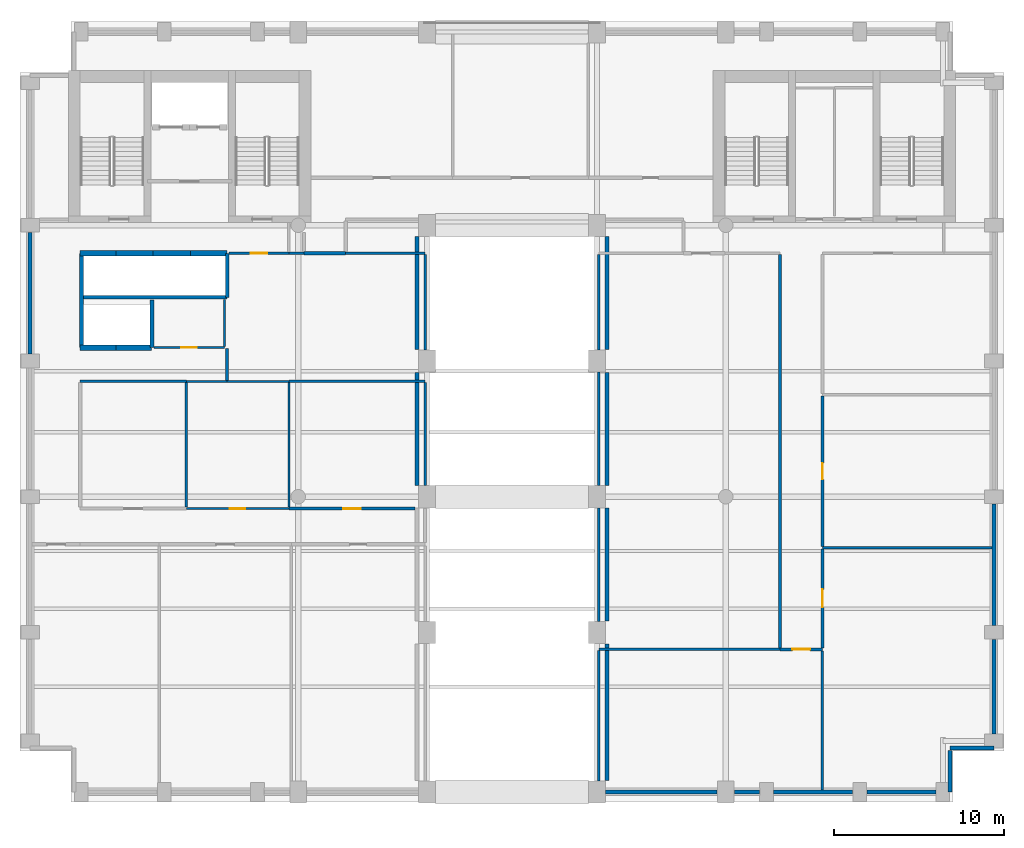
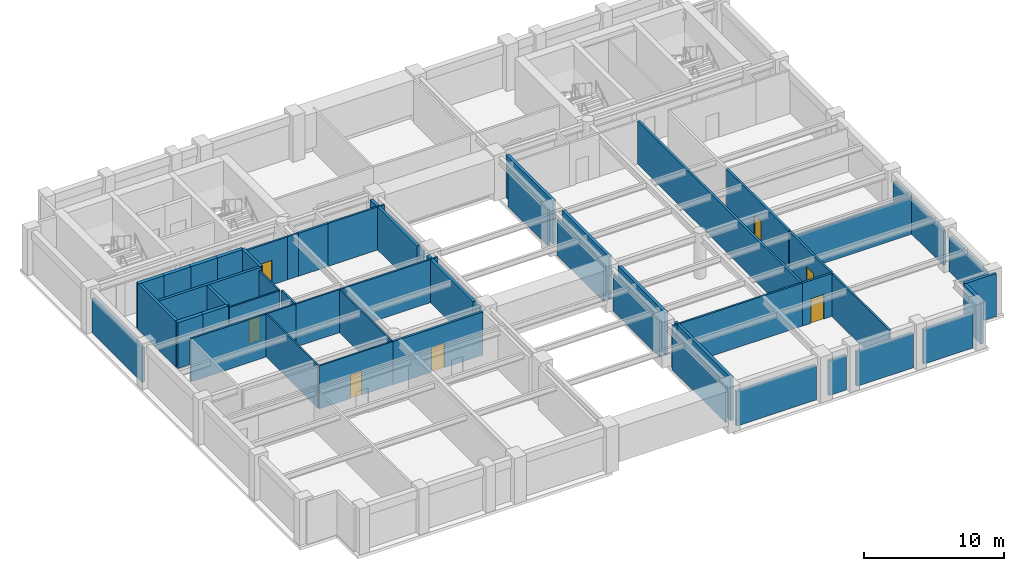
# One storey, part 3 of 7: 53 walls, 7 doors, 7 openings.
"""IFC4 building model written with IfcOpenShell, lengths in metres."""

from ifc_helpers import new_model, si_unit, direction, frame, frame_2d, origin, place, context, subcontext, project, spatial, rectangle, extrude, material, layer, layer_set, type_object, element, fill, save


model = new_model("IFC4")

# Units and contexts
model_context = context("Model", 3, precision=1e-05, world=origin(), true_north=direction((0.0, 1.0)))
body_context = subcontext(model_context, "Body", "Model", "MODEL_VIEW")
ifc_project = project(units=[si_unit("LENGTHUNIT", "METRE"), si_unit("AREAUNIT", "SQUARE_METRE"), si_unit("VOLUMEUNIT", "CUBIC_METRE"), si_unit("PLANEANGLEUNIT", "RADIAN"), si_unit("MASSUNIT", "GRAM", prefix="KILO")], contexts=[model_context])

# Site, building, storey
site_placement = place(None, origin())
site = spatial("IfcSite", under=ifc_project, at=site_placement, CompositionType="ELEMENT")
building_placement = place(site_placement, origin())
building = spatial("IfcBuilding", under=site, at=building_placement, Name="Sulina Concourse Tower", CompositionType="ELEMENT")
storey_placement = place(building_placement, frame((0.0, 0.0, 198.60009765625)))
storey = spatial("IfcBuildingStorey", under=building, at=storey_placement, Name="L48", CompositionType="ELEMENT", Elevation=198.60009765625)

# Walls
ifc_material_1 = material(Name="Concrete C50/60", Category="concrete")
ifc_layer_1 = layer(ifc_material_1, 0.219970703125)
ifc_layer_set_1 = layer_set([ifc_layer_1], Name="Concrete C50/60")
wall_type_1 = type_object("IfcWallType", Name="Core Lift Hoistway Divider Wall 220mm", PredefinedType="SOLIDWALL", material=ifc_layer_set_1)
wall_1_placement = place(storey_placement, frame((3.550048828125, 29.75, 0.0), z_axis=(0.0, 0.0, 1.0), x_axis=(1.0, 0.0, 0.0)))
element("IfcWall", 1, at=wall_1_placement, inside=storey, type_object=wall_type_1, Name="L48 shaft divider wall HW-LP3-S", PredefinedType="SOLIDWALL", context=body_context, shape_type="SweptSolid", body=[
    extrude(rectangle(XDim=8.64990234375, YDim=0.219970703125, at=frame_2d((4.324951171875, 0.0))), origin(), (0.0, 0.0, 1.0), 4.0),
])
wall_2_placement = place(storey_placement, frame((3.6298828125, 26.800048828125, 0.0), z_axis=(0.0, 0.0, 1.0), x_axis=(0.0, 1.0, 0.0)))
element("IfcWall", 2, at=wall_2_placement, inside=storey, type_object=wall_type_1, Name="L48 shaft divider wall HW-LP3-W", PredefinedType="SOLIDWALL", context=body_context, shape_type="SweptSolid", body=[
    extrude(rectangle(XDim=5.550048828125, YDim=0.219970703125, at=frame_2d((2.77490234375, 0.0))), origin(), (0.0, 0.0, 1.0), 4.0),
])
wall_3_placement = place(storey_placement, frame((7.780029296875, 26.800048828125, 0.0), z_axis=(0.0, 0.0, 1.0), x_axis=(0.0, 1.0, 0.0)))
element("IfcWall", 3, at=wall_3_placement, inside=storey, type_object=wall_type_1, Name="L48 shaft divider wall HW-EXP-E", PredefinedType="SOLIDWALL", context=body_context, shape_type="SweptSolid", body=[
    extrude(rectangle(XDim=2.800048828125, YDim=0.219970703125, at=frame_2d((1.39990234375, 0.0))), origin(), (0.0, 0.0, 1.0), 4.0),
])
wall_4_placement = place(storey_placement, frame((12.219970703125, 29.75, 0.0), z_axis=(0.0, 0.0, 1.0), x_axis=(0.0, 1.0, 0.0)))
element("IfcWall", 4, at=wall_4_placement, inside=storey, type_object=wall_type_1, Name="L48 shaft divider wall HW-LP3-E", PredefinedType="SOLIDWALL", context=body_context, shape_type="SweptSolid", body=[
    extrude(rectangle(XDim=2.60009765625, YDim=0.219970703125, at=frame_2d((1.300048828125, 0.0))), origin(), (0.0, 0.0, 1.0), 4.0),
])
ifc_material_2 = material(Name="Concrete C50/60", Category="concrete")
ifc_layer_2 = layer(ifc_material_2, 0.300048828125)
ifc_layer_set_2 = layer_set([ifc_layer_2], Name="Concrete C50/60")
wall_type_2 = type_object("IfcWallType", Name="Core Lift Hoistway Wall 300mm", PredefinedType="SOLIDWALL", material=ifc_layer_set_2)
wall_5_placement = place(storey_placement, frame((3.550048828125, 32.35009765625, 0.0), z_axis=(0.0, 0.0, 1.0), x_axis=(1.0, 0.0, 0.0)))
element("IfcWall", 5, at=wall_5_placement, inside=storey, type_object=wall_type_2, Name="L48 hoistway enclosure wall LP-09", PredefinedType="SOLIDWALL", context=body_context, shape_type="SweptSolid", body=[
    extrude(rectangle(XDim=2.099853515625, YDim=0.300048828125, at=frame_2d((1.0498046875, 0.0))), origin(), (0.0, 0.0, 1.0), 4.0),
])
wall_6_placement = place(storey_placement, frame((5.64990234375, 32.35009765625, 0.0), z_axis=(0.0, 0.0, 1.0), x_axis=(1.0, 0.0, 0.0)))
element("IfcWall", 6, at=wall_6_placement, inside=storey, type_object=wall_type_2, Name="L48 hoistway enclosure wall LP-10", PredefinedType="SOLIDWALL", context=body_context, shape_type="SweptSolid", body=[
    extrude(rectangle(XDim=2.2001953125, YDim=0.300048828125, at=frame_2d((1.10009765625, 0.0))), origin(), (0.0, 0.0, 1.0), 4.0),
])
wall_7_placement = place(storey_placement, frame((7.85009765625, 32.35009765625, 0.0), z_axis=(0.0, 0.0, 1.0), x_axis=(1.0, 0.0, 0.0)))
element("IfcWall", 7, at=wall_7_placement, inside=storey, type_object=wall_type_2, Name="L48 hoistway enclosure wall LP-11", PredefinedType="SOLIDWALL", context=body_context, shape_type="SweptSolid", body=[
    extrude(rectangle(XDim=2.199951171875, YDim=0.300048828125, at=frame_2d((1.10009765625, 0.0))), origin(), (0.0, 0.0, 1.0), 4.0),
])
wall_8_placement = place(storey_placement, frame((10.050048828125, 32.35009765625, 0.0), z_axis=(0.0, 0.0, 1.0), x_axis=(1.0, 0.0, 0.0)))
element("IfcWall", 8, at=wall_8_placement, inside=storey, type_object=wall_type_2, Name="L48 hoistway enclosure wall LP-12", PredefinedType="SOLIDWALL", context=body_context, shape_type="SweptSolid", body=[
    extrude(rectangle(XDim=2.14990234375, YDim=0.300048828125, at=frame_2d((1.074951171875, 0.0))), origin(), (0.0, 0.0, 1.0), 4.0),
])
wall_9_placement = place(storey_placement, frame((5.64990234375, 26.780029296875, 0.0), z_axis=(0.0, 0.0, 1.0), x_axis=(-1.0, 0.0, 0.0)))
element("IfcWall", 9, at=wall_9_placement, inside=storey, type_object=wall_type_2, Name="L48 hoistway enclosure wall EXP-1", PredefinedType="SOLIDWALL", context=body_context, shape_type="SweptSolid", body=[
    extrude(rectangle(XDim=2.099853515625, YDim=0.300048828125, at=frame_2d((1.0498046875, 0.0))), origin(), (0.0, 0.0, 1.0), 4.0),
])
wall_10_placement = place(storey_placement, frame((7.75, 26.780029296875, 0.0), z_axis=(0.0, 0.0, 1.0), x_axis=(-1.0, 0.0, 0.0)))
element("IfcWall", 10, at=wall_10_placement, inside=storey, type_object=wall_type_2, Name="L48 hoistway enclosure wall EXP-2", PredefinedType="SOLIDWALL", context=body_context, shape_type="SweptSolid", body=[
    extrude(rectangle(XDim=2.10009765625, YDim=0.300048828125, at=frame_2d((1.050048828125, 0.0))), origin(), (0.0, 0.0, 1.0), 4.0),
])
ifc_material_3 = material(Name="Precast concrete C50/60", Category="concrete")
ifc_layer_3 = layer(ifc_material_3, 0.239990234375)
ifc_layer_set_3 = layer_set([ifc_layer_3], Name="Precast concrete C50/60")
wall_type_3 = type_object("IfcWallType", Name="Crown Precast Masonry-Frame Facade Wall 240mm", PredefinedType="SOLIDWALL", material=ifc_layer_set_3)
wall_11_placement = place(storey_placement, frame((41.080078125, 0.60009765625, 0.0), z_axis=(0.0, 0.0, 1.0), x_axis=(-1.0, 0.0, 0.0)))
element("IfcWall", 11, at=wall_11_placement, inside=storey, type_object=wall_type_3, Name="L48 exterior precast wall S6", PredefinedType="SOLIDWALL", context=body_context, shape_type="SweptSolid", body=[
    extrude(rectangle(XDim=6.56005859375, YDim=0.239990234375, at=frame_2d((3.280029296875, 0.0))), origin(), (0.0, 0.0, 1.0), 3.0),
])
wall_12_placement = place(storey_placement, frame((43.580078125, 0.60009765625, 0.0), z_axis=(0.0, 0.0, 1.0), x_axis=(-1.0, 0.0, 0.0)))
element("IfcWall", 12, at=wall_12_placement, inside=storey, type_object=wall_type_3, Name="L48 exterior precast wall S7", PredefinedType="SOLIDWALL", context=body_context, shape_type="SweptSolid", body=[
    extrude(rectangle(XDim=1.4599609375, YDim=0.239990234375, at=frame_2d((0.72998046875, 0.0))), origin(), (0.0, 0.0, 1.0), 3.0),
])
wall_13_placement = place(storey_placement, frame((49.080078125, 0.60009765625, 0.0), z_axis=(0.0, 0.0, 1.0), x_axis=(-1.0, 0.0, 0.0)))
element("IfcWall", 13, at=wall_13_placement, inside=storey, type_object=wall_type_3, Name="L48 exterior precast wall S8", PredefinedType="SOLIDWALL", context=body_context, shape_type="SweptSolid", body=[
    extrude(rectangle(XDim=4.66015625, YDim=0.239990234375, at=frame_2d((2.330078125, 0.0))), origin(), (0.0, 0.0, 1.0), 3.0),
])
wall_14_placement = place(storey_placement, frame((53.97998046875, 0.60009765625, 0.0), z_axis=(0.0, 0.0, 1.0), x_axis=(-1.0, 0.0, 0.0)))
element("IfcWall", 14, at=wall_14_placement, inside=storey, type_object=wall_type_3, Name="L48 exterior precast wall S9", PredefinedType="SOLIDWALL", context=body_context, shape_type="SweptSolid", body=[
    extrude(rectangle(XDim=4.06005859375, YDim=0.239990234375, at=frame_2d((2.030029296875, 0.0))), origin(), (0.0, 0.0, 1.0), 3.0),
])
wall_15_placement = place(storey_placement, frame((0.60009765625, 26.419921875, 0.0), z_axis=(0.0, 0.0, 1.0), x_axis=(0.0, 1.0, 0.0)))
element("IfcWall", 15, at=wall_15_placement, inside=storey, type_object=wall_type_3, Name="L48 exterior precast wall W4", PredefinedType="SOLIDWALL", context=body_context, shape_type="SweptSolid", body=[
    extrude(rectangle(XDim=7.16015625, YDim=0.239990234375, at=frame_2d((3.580078125, 0.0))), origin(), (0.0, 0.0, 1.0), 3.0),
])
wall_16_placement = place(storey_placement, frame((57.39990234375, 9.580078125, 0.0), z_axis=(0.0, 0.0, 1.0), x_axis=(0.0, -1.0, 0.0)))
element("IfcWall", 16, at=wall_16_placement, inside=storey, type_object=wall_type_3, Name="L48 exterior precast wall E1", PredefinedType="SOLIDWALL", context=body_context, shape_type="SweptSolid", body=[
    extrude(rectangle(XDim=5.56005859375, YDim=0.239990234375, at=frame_2d((2.780029296875, 0.0))), origin(), (0.0, 0.0, 1.0), 3.0),
])
wall_17_placement = place(storey_placement, frame((57.39990234375, 17.580078125, 0.0), z_axis=(0.0, 0.0, 1.0), x_axis=(0.0, -1.0, 0.0)))
element("IfcWall", 17, at=wall_17_placement, inside=storey, type_object=wall_type_3, Name="L48 exterior precast wall E2", PredefinedType="SOLIDWALL", context=body_context, shape_type="SweptSolid", body=[
    extrude(rectangle(XDim=7.16015625, YDim=0.239990234375, at=frame_2d((3.580078125, 0.0))), origin(), (0.0, 0.0, 1.0), 3.0),
])
wall_18_placement = place(storey_placement, frame((57.39990234375, 3.179931640625, 0.0), z_axis=(0.0, 0.0, 1.0), x_axis=(-1.0, 0.0, 0.0)))
element("IfcWall", 18, at=wall_18_placement, inside=storey, type_object=wall_type_3, Name="L48 exterior precast wall CSE1", PredefinedType="SOLIDWALL", context=body_context, shape_type="SweptSolid", body=[
    extrude(rectangle(XDim=2.579833984375, YDim=0.239990234375, at=frame_2d((1.2900390625, 0.0))), origin(), (0.0, 0.0, 1.0), 3.75),
])
wall_19_placement = place(storey_placement, frame((54.820068359375, 3.054931640625, 0.0), z_axis=(0.0, 0.0, 1.0), x_axis=(0.0, -1.0, 0.0)))
element("IfcWall", 19, at=wall_19_placement, inside=storey, type_object=wall_type_3, Name="L48 exterior precast wall CSE2", PredefinedType="SOLIDWALL", context=body_context, shape_type="SweptSolid", body=[
    extrude(rectangle(XDim=2.454833984375, YDim=0.239990234375, at=frame_2d((1.2275390625, 0.0))), origin(), (0.0, 0.0, 1.0), 3.75),
])
wall_20_placement = place(storey_placement, frame((34.60009765625, 1.27001953125, 0.0), z_axis=(0.0, 0.0, 1.0), x_axis=(0.0, 1.0, 0.0)))
element("IfcWall", 20, at=wall_20_placement, inside=storey, type_object=wall_type_3, Name="L48 exterior precast wall PE1", PredefinedType="SOLIDWALL", context=body_context, shape_type="SweptSolid", body=[
    extrude(rectangle(XDim=8.06005859375, YDim=0.239990234375, at=frame_2d((4.030029296875, 0.0))), origin(), (0.0, 0.0, 1.0), 3.75),
])
for number, where, z_axis, x_axis, name in (
    (21, (34.60009765625, 10.669921875, 0.0), (0.0, 0.0, 1.0), (0.0, 1.0, 0.0), "L48 exterior precast wall PE2"),
    (22, (23.39990234375, 25.330078125, 0.0), (0.0, 0.0, 1.0), (0.0, -1.0, 0.0), "L48 exterior precast wall PW3"),
    (23, (34.60009765625, 18.669921875, 0.0), (0.0, 0.0, 1.0), (0.0, 1.0, 0.0), "L48 exterior precast wall PE3"),
    (24, (23.39990234375, 33.330078125, 0.0), (0.0, 0.0, 1.0), (0.0, -1.0, 0.0), "L48 exterior precast wall PW4"),
    (25, (34.60009765625, 26.669921875, 0.0), (0.0, 0.0, 1.0), (0.0, 1.0, 0.0), "L48 exterior precast wall PE4"),
):
    element("IfcWall", number, at=place(storey_placement, frame(where, z_axis=z_axis, x_axis=x_axis)), inside=storey, type_object=wall_type_3, Name=name, PredefinedType="SOLIDWALL", context=body_context, shape_type="SweptSolid", body=[
        extrude(rectangle(XDim=6.66015625, YDim=0.239990234375, at=frame_2d((3.330078125, 0.0))), origin(), (0.0, 0.0, 1.0), 3.75),
    ])
ifc_material_4 = material(Name="Gypsum board on steel stud", Category="steel")
ifc_layer_4 = layer(ifc_material_4, 0.14990234375)
ifc_layer_set_4 = layer_set([ifc_layer_4], Name="Gypsum board on steel stud")
wall_type_4 = type_object("IfcWallType", Name="Inter-Tenancy Acoustic Partition 150mm", PredefinedType="PARTITIONING", material=ifc_layer_set_4)
wall_21_placement = place(storey_placement, frame((34.1201171875, 9.0, 0.0), z_axis=(0.0, 0.0, 1.0), x_axis=(1.0, 0.0, 0.0)))
element("IfcWall", 26, at=wall_21_placement, inside=storey, type_object=wall_type_4, Name="L48 interior partition 001", PredefinedType="PARTITIONING", context=body_context, shape_type="SweptSolid", body=[
    extrude(rectangle(XDim=10.679931640625, YDim=0.14990234375, at=frame_2d((5.33984375, 0.0))), origin(), (0.0, 0.0, 1.0), 3.75),
])
wall_22_placement = place(storey_placement, frame((47.300048828125, 15.0, 0.0), z_axis=(0.0, 0.0, 1.0), x_axis=(1.0, 0.0, 0.0)))
element("IfcWall", 27, at=wall_22_placement, inside=storey, type_object=wall_type_4, Name="L48 interior partition 003", PredefinedType="PARTITIONING", context=body_context, shape_type="SweptSolid", body=[
    extrude(rectangle(XDim=9.97998046875, YDim=0.14990234375, at=frame_2d((4.989990234375, 0.0))), origin(), (0.0, 0.0, 1.0), 3.244873046875),
])
wall_23_placement = place(storey_placement, frame((3.550048828125, 24.800048828125, 0.0), z_axis=(0.0, 0.0, 1.0), x_axis=(1.0, 0.0, 0.0)))
element("IfcWall", 28, at=wall_23_placement, inside=storey, type_object=wall_type_4, Name="L48 interior partition 012", PredefinedType="PARTITIONING", context=body_context, shape_type="SweptSolid", body=[
    extrude(rectangle(XDim=6.25, YDim=0.14990234375, at=frame_2d((3.125, 0.0))), origin(), (0.0, 0.0, 1.0), 3.75),
])
wall_24_placement = place(storey_placement, frame((15.85009765625, 24.800048828125, 0.0), z_axis=(0.0, 0.0, 1.0), x_axis=(1.0, 0.0, 0.0)))
element("IfcWall", 29, at=wall_24_placement, inside=storey, type_object=wall_type_4, Name="L48 interior partition 015", PredefinedType="PARTITIONING", context=body_context, shape_type="SweptSolid", body=[
    extrude(rectangle(XDim=8.02978515625, YDim=0.14990234375, at=frame_2d((4.014892578125, 0.0))), origin(), (0.0, 0.0, 1.0), 3.75),
])

# Wall, opening, door
wall_25_placement = place(storey_placement, frame((12.330078125, 32.35009765625, 0.0), z_axis=(0.0, 0.0, 1.0), x_axis=(1.0, 0.0, 0.0)))
wall_25 = element("IfcWall", 30, at=wall_25_placement, inside=storey, type_object=wall_type_4, Name="L48 interior partition 017", PredefinedType="PARTITIONING", context=body_context, shape_type="SweptSolid", body=[
    extrude(rectangle(XDim=3.52001953125, YDim=0.14990234375, at=frame_2d((1.760009765625, 0.0))), origin(), (0.0, 0.0, 1.0), 3.75),
])
opening_1_placement = place(wall_25_placement, frame((1.284912109375, 0.0, 0.0)))
opening_1 = element("IfcOpeningElement", 31, at=opening_1_placement, cuts=wall_25, Name="Opening DR-19", PredefinedType="OPENING", context=body_context, shape_type="SweptSolid", body=[
    extrude(rectangle(XDim=0.949951171875, YDim=2.14990234375, at=frame_2d((0.47509765625, 1.074951171875))), frame((0.0, 0.0849609375, 0.0), z_axis=(0.0, -1.0, 0.0), x_axis=(1.0, 0.0, 0.0)), (0.0, 0.0, 1.0), 0.169921875),
])
ifc_material_5 = material(Name="Oak-veneered acoustic timber leaf", Category="wood")
ifc_layer_5 = layer(ifc_material_5, 0.050048828125)
ifc_layer_set_5 = layer_set([ifc_layer_5], Name="Oak-veneered acoustic timber leaf")
door_type_1 = type_object("IfcDoorType", Name="Cellular Office & Meeting Door 950x2150", OperationType="NOTDEFINED", PredefinedType="DOOR", material=ifc_layer_set_5)
door_1_placement = place(opening_1_placement, origin())
door_1 = element("IfcDoor", 32, at=door_1_placement, inside=storey, type_object=door_type_1, Name="L48 interior door L48-MR-MRG1", OperationType="SINGLE_SWING_RIGHT", OverallHeight=2.14990234375, OverallWidth=0.949951171875, PredefinedType="DOOR", context=body_context, shape_type="SweptSolid", body=[
    extrude(rectangle(XDim=0.949951171875, YDim=2.14990234375, at=frame_2d((0.47509765625, 1.074951171875))), frame((0.0, 0.02490234375, 0.0), z_axis=(0.0, -1.0, 0.0), x_axis=(1.0, 0.0, 0.0)), (0.0, 0.0, 1.0), 0.050048828125),
])
fill(opening_1, door_1)

# Walls
wall_26_placement = place(storey_placement, frame((15.85009765625, 32.35009765625, 0.0), z_axis=(0.0, 0.0, 1.0), x_axis=(1.0, 0.0, 0.0)))
element("IfcWall", 33, at=wall_26_placement, inside=storey, type_object=wall_type_4, Name="L48 interior partition 018", PredefinedType="PARTITIONING", context=body_context, shape_type="SweptSolid", body=[
    extrude(rectangle(XDim=0.89990234375, YDim=0.14990234375, at=frame_2d((0.449951171875, 0.0))), origin(), (0.0, 0.0, 1.0), 3.75),
])
wall_27_placement = place(storey_placement, frame((19.199951171875, 32.35009765625, 0.0), z_axis=(0.0, 0.0, 1.0), x_axis=(1.0, 0.0, 0.0)))
element("IfcWall", 34, at=wall_27_placement, inside=storey, type_object=wall_type_4, Name="L48 interior partition 020", PredefinedType="PARTITIONING", context=body_context, shape_type="SweptSolid", body=[
    extrude(rectangle(XDim=4.679931640625, YDim=0.14990234375, at=frame_2d((2.33984375, 0.0))), origin(), (0.0, 0.0, 1.0), 3.75),
])
wall_28_placement = place(storey_placement, frame((12.199951171875, 24.862548828125, 0.0), z_axis=(0.0, 0.0, 1.0), x_axis=(0.0, 1.0, 0.0)))
element("IfcWall", 35, at=wall_28_placement, inside=storey, type_object=wall_type_4, Name="L48 interior partition 038", PredefinedType="PARTITIONING", context=body_context, shape_type="SweptSolid", body=[
    extrude(rectangle(XDim=1.875, YDim=0.14990234375, at=frame_2d((0.9375, 0.0))), origin(), (0.0, 0.0, 1.0), 3.75),
])
wall_29_placement = place(storey_placement, frame((23.8798828125, 18.64990234375, 0.0), z_axis=(0.0, 0.0, 1.0), x_axis=(0.0, 1.0, 0.0)))
element("IfcWall", 36, at=wall_29_placement, inside=storey, type_object=wall_type_4, Name="L48 interior partition 047", PredefinedType="PARTITIONING", context=body_context, shape_type="SweptSolid", body=[
    extrude(rectangle(XDim=6.0751953125, YDim=0.14990234375, at=frame_2d((3.03759765625, 0.0))), origin(), (0.0, 0.0, 1.0), 3.14501953125),
])
wall_30_placement = place(storey_placement, frame((23.8798828125, 26.64990234375, 0.0), z_axis=(0.0, 0.0, 1.0), x_axis=(0.0, 1.0, 0.0)))
element("IfcWall", 37, at=wall_30_placement, inside=storey, type_object=wall_type_4, Name="L48 interior partition 048", PredefinedType="PARTITIONING", context=body_context, shape_type="SweptSolid", body=[
    extrude(rectangle(XDim=5.625, YDim=0.14990234375, at=frame_2d((2.8125, 0.0))), origin(), (0.0, 0.0, 1.0), 3.14501953125),
])
wall_31_placement = place(storey_placement, frame((34.1201171875, 1.25, 0.0), z_axis=(0.0, 0.0, 1.0), x_axis=(0.0, 1.0, 0.0)))
element("IfcWall", 38, at=wall_31_placement, inside=storey, type_object=wall_type_4, Name="L48 interior partition 051", PredefinedType="PARTITIONING", context=body_context, shape_type="SweptSolid", body=[
    extrude(rectangle(XDim=7.675048828125, YDim=0.14990234375, at=frame_2d((3.83740234375, 0.0))), origin(), (0.0, 0.0, 1.0), 3.14501953125),
])
for number, where, z_axis, x_axis, name in (
    (39, (34.1201171875, 10.64990234375, 0.0), (0.0, 0.0, 1.0), (0.0, 1.0, 0.0), "L48 interior partition 052"),
    (40, (34.1201171875, 18.64990234375, 0.0), (0.0, 0.0, 1.0), (0.0, 1.0, 0.0), "L48 interior partition 053"),
):
    element("IfcWall", number, at=place(storey_placement, frame(where, z_axis=z_axis, x_axis=x_axis)), inside=storey, type_object=wall_type_4, Name=name, PredefinedType="PARTITIONING", context=body_context, shape_type="SweptSolid", body=[
        extrude(rectangle(XDim=6.7001953125, YDim=0.14990234375, at=frame_2d((3.35009765625, 0.0))), origin(), (0.0, 0.0, 1.0), 3.14501953125),
    ])
wall_32_placement = place(storey_placement, frame((34.1201171875, 26.64990234375, 0.0), z_axis=(0.0, 0.0, 1.0), x_axis=(0.0, 1.0, 0.0)))
element("IfcWall", 41, at=wall_32_placement, inside=storey, type_object=wall_type_4, Name="L48 interior partition 054", PredefinedType="PARTITIONING", context=body_context, shape_type="SweptSolid", body=[
    extrude(rectangle(XDim=5.625, YDim=0.14990234375, at=frame_2d((2.8125, 0.0))), origin(), (0.0, 0.0, 1.0), 3.14501953125),
])
wall_33_placement = place(storey_placement, frame((47.300048828125, 0.719970703125, 0.0), z_axis=(0.0, 0.0, 1.0), x_axis=(0.0, 1.0, 0.0)))
element("IfcWall", 42, at=wall_33_placement, inside=storey, type_object=wall_type_4, Name="L48 interior partition 057", PredefinedType="PARTITIONING", context=body_context, shape_type="SweptSolid", body=[
    extrude(rectangle(XDim=8.18994140625, YDim=0.14990234375, at=frame_2d((4.094970703125, 0.0))), origin(), (0.0, 0.0, 1.0), 3.75),
])

# Wall, opening, door
ifc_material_6 = material(Name="Gypsum board on steel stud", Category="steel")
ifc_layer_6 = layer(ifc_material_6, 0.179931640625)
ifc_layer_set_6 = layer_set([ifc_layer_6], Name="Gypsum board on steel stud")
wall_type_5 = type_object("IfcWallType", Name="Protected Corridor & Riser Partition 180mm", PredefinedType="PARTITIONING", material=ifc_layer_set_6)
wall_34_placement = place(storey_placement, frame((44.800048828125, 9.0, 0.0), z_axis=(0.0, 0.0, 1.0), x_axis=(1.0, 0.0, 0.0)))
wall_34 = element("IfcWall", 43, at=wall_34_placement, inside=storey, type_object=wall_type_5, Name="L48 interior partition 002", PredefinedType="PARTITIONING", context=body_context, shape_type="SweptSolid", body=[
    extrude(rectangle(XDim=2.5, YDim=0.179931640625, at=frame_2d((1.25, 0.0))), origin(), (0.0, 0.0, 1.0), 3.75),
])
opening_2_placement = place(wall_34_placement, frame((0.72509765625, 0.0, 0.0)))
opening_2 = element("IfcOpeningElement", 44, at=opening_2_placement, cuts=wall_34, Name="Opening DR-37", PredefinedType="OPENING", context=body_context, shape_type="SweptSolid", body=[
    extrude(rectangle(XDim=1.050048828125, YDim=2.14990234375, at=frame_2d((0.52490234375, 1.074951171875))), frame((0.0, 0.099853515625, 0.0), z_axis=(0.0, -1.0, 0.0), x_axis=(1.0, 0.0, 0.0)), (0.0, 0.0, 1.0), 0.199951171875),
])
ifc_material_7 = material(Name="Oak-veneered fire door leaf")
ifc_layer_7 = layer(ifc_material_7, 0.050048828125)
ifc_layer_set_7 = layer_set([ifc_layer_7], Name="Oak-veneered fire door leaf")
door_type_2 = type_object("IfcDoorType", Name="Tenant Suite Entrance Fire Door 1050x2150", OperationType="NOTDEFINED", PredefinedType="DOOR", material=ifc_layer_set_7)
door_2_placement = place(opening_2_placement, origin())
door_2 = element("IfcDoor", 45, at=door_2_placement, inside=storey, type_object=door_type_2, Name="L48 interior door L48-PNT-E1", OperationType="SINGLE_SWING_RIGHT", OverallHeight=2.14990234375, OverallWidth=1.050048828125, PredefinedType="DOOR", context=body_context, shape_type="SweptSolid", body=[
    extrude(rectangle(XDim=1.050048828125, YDim=2.14990234375, at=frame_2d((0.52490234375, 1.074951171875))), frame((0.0, 0.02490234375, 0.0), z_axis=(0.0, -1.0, 0.0), x_axis=(1.0, 0.0, 0.0)), (0.0, 0.0, 1.0), 0.050048828125),
])
fill(opening_2, door_2)

wall_35_placement = place(storey_placement, frame((15.85009765625, 17.300048828125, 0.0), z_axis=(0.0, 0.0, 1.0), x_axis=(1.0, 0.0, 0.0)))
wall_35 = element("IfcWall", 46, at=wall_35_placement, inside=storey, type_object=wall_type_5, Name="L48 interior partition 010", PredefinedType="PARTITIONING", context=body_context, shape_type="SweptSolid", body=[
    extrude(rectangle(XDim=7.429931640625, YDim=0.179931640625, at=frame_2d((3.71484375, 0.0))), origin(), (0.0, 0.0, 1.0), 3.75),
])
opening_3_placement = place(wall_35_placement, frame((3.18994140625, 0.0, 0.0)))
opening_3 = element("IfcOpeningElement", 47, at=opening_3_placement, cuts=wall_35, Name="Opening DR-37", PredefinedType="OPENING", context=body_context, shape_type="SweptSolid", body=[
    extrude(rectangle(XDim=1.050048828125, YDim=2.14990234375, at=frame_2d((0.52490234375, 1.074951171875))), frame((0.0, 0.099853515625, 0.0), z_axis=(0.0, -1.0, 0.0), x_axis=(1.0, 0.0, 0.0)), (0.0, 0.0, 1.0), 0.199951171875),
])
door_3_placement = place(opening_3_placement, origin())
door_3 = element("IfcDoor", 48, at=door_3_placement, inside=storey, type_object=door_type_2, Name="L48 interior door L48-OFF-W0", OperationType="SINGLE_SWING_RIGHT", OverallHeight=2.14990234375, OverallWidth=1.050048828125, PredefinedType="DOOR", context=body_context, shape_type="SweptSolid", body=[
    extrude(rectangle(XDim=1.050048828125, YDim=2.14990234375, at=frame_2d((0.52490234375, 1.074951171875))), frame((0.0, 0.02490234375, 0.0), z_axis=(0.0, -1.0, 0.0), x_axis=(1.0, 0.0, 0.0)), (0.0, 0.0, 1.0), 0.050048828125),
])
fill(opening_3, door_3)

# Walls
wall_36_placement = place(storey_placement, frame((16.75, 32.35009765625, 0.0), z_axis=(0.0, 0.0, 1.0), x_axis=(1.0, 0.0, 0.0)))
element("IfcWall", 49, at=wall_36_placement, inside=storey, type_object=wall_type_5, Name="L48 interior partition 019", PredefinedType="PARTITIONING", context=body_context, shape_type="SweptSolid", body=[
    extrude(rectangle(XDim=2.449951171875, YDim=0.179931640625, at=frame_2d((1.22509765625, 0.0))), origin(), (0.0, 0.0, 1.0), 3.75),
])
wall_37_placement = place(storey_placement, frame((44.800048828125, 9.090087890625, 0.0), z_axis=(0.0, 0.0, 1.0), x_axis=(0.0, 1.0, 0.0)))
element("IfcWall", 50, at=wall_37_placement, inside=storey, type_object=wall_type_5, Name="L48 interior partition 056", PredefinedType="PARTITIONING", context=body_context, shape_type="SweptSolid", body=[
    extrude(rectangle(XDim=23.184814453125, YDim=0.179931640625, at=frame_2d((11.59228515625, 0.0))), origin(), (0.0, 0.0, 1.0), 3.75),
])

# Wall, opening, door
wall_38_placement = place(storey_placement, frame((47.300048828125, 9.090087890625, 0.0), z_axis=(0.0, 0.0, 1.0), x_axis=(0.0, 1.0, 0.0)))
wall_38 = element("IfcWall", 51, at=wall_38_placement, inside=storey, type_object=wall_type_5, Name="L48 interior partition 058", PredefinedType="PARTITIONING", context=body_context, shape_type="SweptSolid", body=[
    extrude(rectangle(XDim=5.8349609375, YDim=0.179931640625, at=frame_2d((2.91748046875, 0.0))), origin(), (0.0, 0.0, 1.0), 3.75),
])
opening_4_placement = place(wall_38_placement, frame((2.392578125, 0.0, 0.0)))
opening_4 = element("IfcOpeningElement", 52, at=opening_4_placement, cuts=wall_38, Name="Opening DR-37", PredefinedType="OPENING", context=body_context, shape_type="SweptSolid", body=[
    extrude(rectangle(XDim=1.050048828125, YDim=2.14990234375, at=frame_2d((0.52490234375, 1.074951171875))), frame((0.0, 0.099853515625, 0.0), z_axis=(0.0, -1.0, 0.0), x_axis=(1.0, 0.0, 0.0)), (0.0, 0.0, 1.0), 0.199951171875),
])
door_4_placement = place(opening_4_placement, origin())
door_4 = element("IfcDoor", 53, at=door_4_placement, inside=storey, type_object=door_type_2, Name="L48 interior door L48-OFF-E1", OperationType="SINGLE_SWING_RIGHT", OverallHeight=2.14990234375, OverallWidth=1.050048828125, PredefinedType="DOOR", context=body_context, shape_type="SweptSolid", body=[
    extrude(rectangle(XDim=1.050048828125, YDim=2.14990234375, at=frame_2d((0.52490234375, 1.074951171875))), frame((0.0, 0.02490234375, 0.0), z_axis=(0.0, -1.0, 0.0), x_axis=(1.0, 0.0, 0.0)), (0.0, 0.0, 1.0), 0.050048828125),
])
fill(opening_4, door_4)

wall_39_placement = place(storey_placement, frame((47.300048828125, 15.074951171875, 0.0), z_axis=(0.0, 0.0, 1.0), x_axis=(0.0, 1.0, 0.0)))
wall_39 = element("IfcWall", 54, at=wall_39_placement, inside=storey, type_object=wall_type_5, Name="L48 interior partition 059", PredefinedType="PARTITIONING", context=body_context, shape_type="SweptSolid", body=[
    extrude(rectangle(XDim=8.85009765625, YDim=0.179931640625, at=frame_2d((4.425048828125, 0.0))), origin(), (0.0, 0.0, 1.0), 3.75),
])
opening_5_placement = place(wall_39_placement, frame((3.949951171875, 0.0, 0.0)))
opening_5 = element("IfcOpeningElement", 55, at=opening_5_placement, cuts=wall_39, Name="Opening DR-19", PredefinedType="OPENING", context=body_context, shape_type="SweptSolid", body=[
    extrude(rectangle(XDim=0.949951171875, YDim=2.14990234375, at=frame_2d((0.47509765625, 1.074951171875))), frame((0.0, 0.099853515625, 0.0), z_axis=(0.0, -1.0, 0.0), x_axis=(1.0, 0.0, 0.0)), (0.0, 0.0, 1.0), 0.199951171875),
])
door_5_placement = place(opening_5_placement, origin())
door_5 = element("IfcDoor", 56, at=door_5_placement, inside=storey, type_object=door_type_1, Name="L48 interior door L48-OFF-E2", OperationType="SINGLE_SWING_LEFT", OverallHeight=2.14990234375, OverallWidth=0.949951171875, PredefinedType="DOOR", context=body_context, shape_type="SweptSolid", body=[
    extrude(rectangle(XDim=0.949951171875, YDim=2.14990234375, at=frame_2d((0.47509765625, 1.074951171875))), frame((0.0, 0.02490234375, 0.0), z_axis=(0.0, -1.0, 0.0), x_axis=(1.0, 0.0, 0.0)), (0.0, 0.0, 1.0), 0.050048828125),
])
fill(opening_5, door_5)

ifc_material_8 = material(Name="Gypsum board on steel stud", Category="steel")
ifc_layer_8 = layer(ifc_material_8, 0.125)
ifc_layer_set_8 = layer_set([ifc_layer_8], Name="Gypsum board on steel stud")
wall_type_6 = type_object("IfcWallType", Name="Wet-Area Moisture-Resistant Partition 125mm", PredefinedType="PARTITIONING", material=ifc_layer_set_8)
wall_40_placement = place(storey_placement, frame((9.800048828125, 17.300048828125, 0.0), z_axis=(0.0, 0.0, 1.0), x_axis=(1.0, 0.0, 0.0)))
wall_40 = element("IfcWall", 57, at=wall_40_placement, inside=storey, type_object=wall_type_6, Name="L48 interior partition 009", PredefinedType="PARTITIONING", context=body_context, shape_type="SweptSolid", body=[
    extrude(rectangle(XDim=6.050048828125, YDim=0.125, at=frame_2d((3.02490234375, 0.0))), origin(), (0.0, 0.0, 1.0), 3.75),
])
opening_6_placement = place(wall_40_placement, frame((2.574951171875, 0.0, 0.0)))
opening_6 = element("IfcOpeningElement", 58, at=opening_6_placement, cuts=wall_40, Name="Opening DR-21", PredefinedType="OPENING", context=body_context, shape_type="SweptSolid", body=[
    extrude(rectangle(XDim=0.89990234375, YDim=2.10009765625, at=frame_2d((0.449951171875, 1.050048828125))), frame((0.0, 0.072509765625, 0.0), z_axis=(0.0, -1.0, 0.0), x_axis=(1.0, 0.0, 0.0)), (0.0, 0.0, 1.0), 0.14501953125),
])
ifc_material_9 = material(Name="Oak-veneered fire door leaf")
ifc_layer_9 = layer(ifc_material_9, 0.050048828125)
ifc_layer_set_9 = layer_set([ifc_layer_9], Name="Oak-veneered fire door leaf")
door_type_3 = type_object("IfcDoorType", Name="Restroom & Service Door 900x2100", OperationType="NOTDEFINED", PredefinedType="DOOR", material=ifc_layer_set_9)
door_6_placement = place(opening_6_placement, origin())
door_6 = element("IfcDoor", 59, at=door_6_placement, inside=storey, type_object=door_type_3, Name="L48 interior door L48-LR-MRG2", OperationType="SINGLE_SWING_LEFT", OverallHeight=2.10009765625, OverallWidth=0.89990234375, PredefinedType="DOOR", context=body_context, shape_type="SweptSolid", body=[
    extrude(rectangle(XDim=0.89990234375, YDim=2.10009765625, at=frame_2d((0.449951171875, 1.050048828125))), frame((0.0, 0.02490234375, 0.0), z_axis=(0.0, -1.0, 0.0), x_axis=(1.0, 0.0, 0.0)), (0.0, 0.0, 1.0), 0.050048828125),
])
fill(opening_6, door_6)

# Walls
wall_41_placement = place(storey_placement, frame((9.800048828125, 24.800048828125, 0.0), z_axis=(0.0, 0.0, 1.0), x_axis=(1.0, 0.0, 0.0)))
element("IfcWall", 60, at=wall_41_placement, inside=storey, type_object=wall_type_6, Name="L48 interior partition 013", PredefinedType="PARTITIONING", context=body_context, shape_type="SweptSolid", body=[
    extrude(rectangle(XDim=2.39990234375, YDim=0.125, at=frame_2d((1.199951171875, 0.0))), origin(), (0.0, 0.0, 1.0), 3.75),
])
wall_42_placement = place(storey_placement, frame((12.199951171875, 24.800048828125, 0.0), z_axis=(0.0, 0.0, 1.0), x_axis=(1.0, 0.0, 0.0)))
element("IfcWall", 61, at=wall_42_placement, inside=storey, type_object=wall_type_6, Name="L48 interior partition 014", PredefinedType="PARTITIONING", context=body_context, shape_type="SweptSolid", body=[
    extrude(rectangle(XDim=3.650146484375, YDim=0.125, at=frame_2d((1.8251953125, 0.0))), origin(), (0.0, 0.0, 1.0), 3.75),
])

# Wall, opening, door
wall_43_placement = place(storey_placement, frame((7.889892578125, 26.800048828125, 0.0), z_axis=(0.0, 0.0, 1.0), x_axis=(1.0, 0.0, 0.0)))
wall_43 = element("IfcWall", 62, at=wall_43_placement, inside=storey, type_object=wall_type_6, Name="L48 interior partition 016", PredefinedType="PARTITIONING", context=body_context, shape_type="SweptSolid", body=[
    extrude(rectangle(XDim=4.16015625, YDim=0.125, at=frame_2d((2.080078125, 0.0))), origin(), (0.0, 0.0, 1.0), 3.75),
])
opening_7_placement = place(wall_43_placement, frame((1.6201171875, 0.0, 0.0)))
opening_7 = element("IfcOpeningElement", 63, at=opening_7_placement, cuts=wall_43, Name="Opening DR-61", PredefinedType="OPENING", context=body_context, shape_type="SweptSolid", body=[
    extrude(rectangle(XDim=0.919921875, YDim=2.10009765625, at=frame_2d((0.4599609375, 1.050048828125))), frame((0.0, 0.072509765625, 0.0), z_axis=(0.0, -1.0, 0.0), x_axis=(1.0, 0.0, 0.0)), (0.0, 0.0, 1.0), 0.14501953125),
])
ifc_material_10 = material(Name="Oak-veneered fire door leaf")
ifc_layer_10 = layer(ifc_material_10, 0.050048828125)
ifc_layer_set_10 = layer_set([ifc_layer_10], Name="Oak-veneered fire door leaf")
door_type_4 = type_object("IfcDoorType", Name="Accessible WC Door 920x2100", OperationType="NOTDEFINED", PredefinedType="DOOR", material=ifc_layer_set_10)
door_7_placement = place(opening_7_placement, origin())
door_7 = element("IfcDoor", 64, at=door_7_placement, inside=storey, type_object=door_type_4, Name="L48 interior door L48-WC-ACC", OperationType="SINGLE_SWING_LEFT", OverallHeight=2.10009765625, OverallWidth=0.919921875, PredefinedType="DOOR", context=body_context, shape_type="SweptSolid", body=[
    extrude(rectangle(XDim=0.919921875, YDim=2.10009765625, at=frame_2d((0.4599609375, 1.050048828125))), frame((0.0, 0.02490234375, 0.0), z_axis=(0.0, -1.0, 0.0), x_axis=(1.0, 0.0, 0.0)), (0.0, 0.0, 1.0), 0.050048828125),
])
fill(opening_7, door_7)

# Walls
wall_44_placement = place(storey_placement, frame((9.800048828125, 17.389892578125, 0.0), z_axis=(0.0, 0.0, 1.0), x_axis=(0.0, 1.0, 0.0)))
element("IfcWall", 65, at=wall_44_placement, inside=storey, type_object=wall_type_6, Name="L48 interior partition 036", PredefinedType="PARTITIONING", context=body_context, shape_type="SweptSolid", body=[
    extrude(rectangle(XDim=7.335205078125, YDim=0.125, at=frame_2d((3.66748046875, 0.0))), origin(), (0.0, 0.0, 1.0), 3.75),
])
wall_45_placement = place(storey_placement, frame((12.050048828125, 26.862548828125, 0.0), z_axis=(0.0, 0.0, 1.0), x_axis=(0.0, 1.0, 0.0)))
element("IfcWall", 66, at=wall_45_placement, inside=storey, type_object=wall_type_6, Name="L48 interior partition 037", PredefinedType="PARTITIONING", context=body_context, shape_type="SweptSolid", body=[
    extrude(rectangle(XDim=2.77734375, YDim=0.125, at=frame_2d((1.388671875, 0.0))), origin(), (0.0, 0.0, 1.0), 3.75),
])
wall_46_placement = place(storey_placement, frame((15.85009765625, 17.389892578125, 0.0), z_axis=(0.0, 0.0, 1.0), x_axis=(0.0, 1.0, 0.0)))
element("IfcWall", 67, at=wall_46_placement, inside=storey, type_object=wall_type_6, Name="L48 interior partition 039", PredefinedType="PARTITIONING", context=body_context, shape_type="SweptSolid", body=[
    extrude(rectangle(XDim=7.335205078125, YDim=0.125, at=frame_2d((3.66748046875, 0.0))), origin(), (0.0, 0.0, 1.0), 3.75),
])

save(model, "model.ifc")
